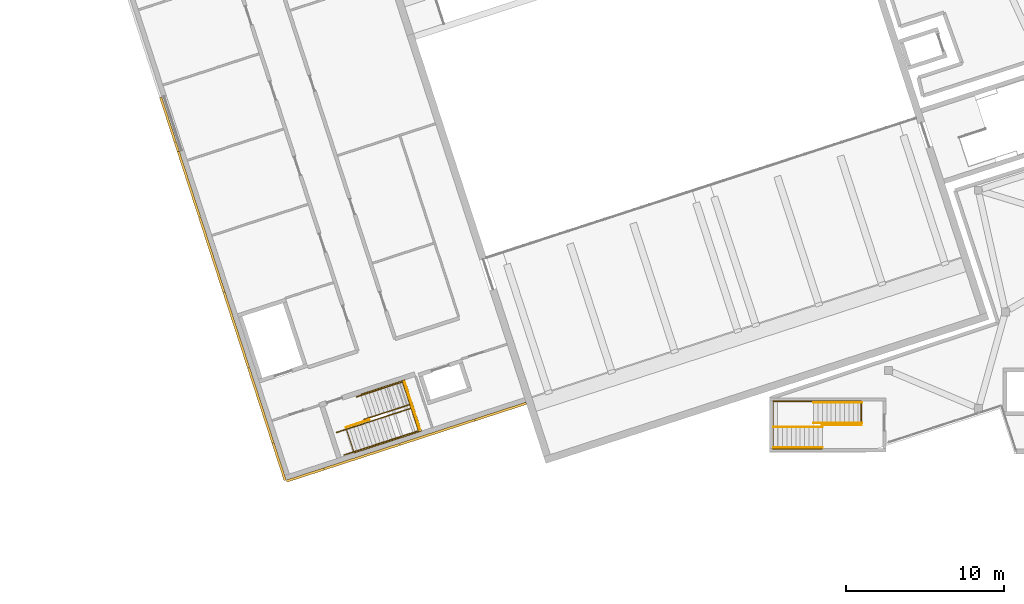
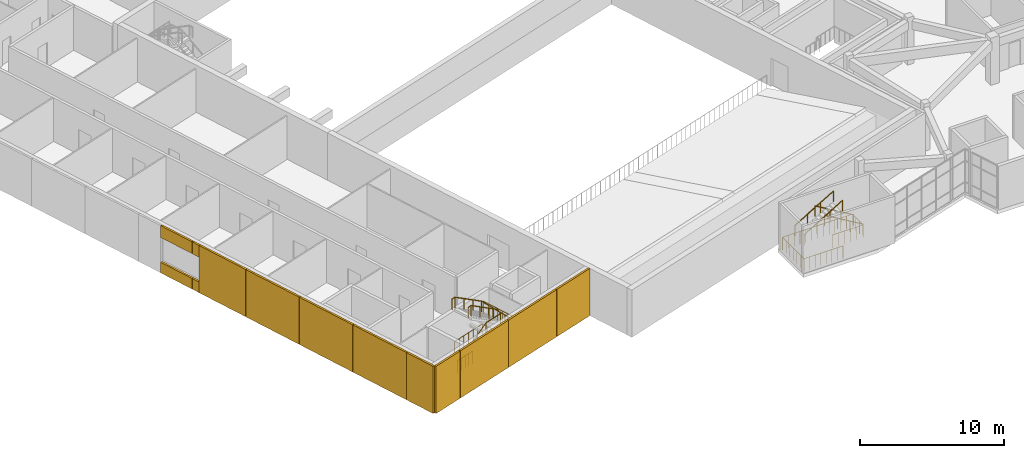
# One storey, part 60 of 65: 13 coverings, 11 railings.
"""IFC4 building model written with IfcOpenShell, lengths in metres."""

from ifc_helpers import new_model, si_unit, direction, frame, origin, origin_2d, place, context, subcontext, project, spatial, polyline, circle, outline, extrude, material, layer, layer_set, type_object, element, save


model = new_model("IFC4")

# Units and contexts
model_context = context("Model", 3, precision=1e-05, world=origin(), true_north=direction((0.0, 1.0)))
body_context = subcontext(model_context, "Body", "Model", "MODEL_VIEW")
ifc_project = project(units=[si_unit("LENGTHUNIT", "METRE"), si_unit("AREAUNIT", "SQUARE_METRE"), si_unit("VOLUMEUNIT", "CUBIC_METRE"), si_unit("PLANEANGLEUNIT", "RADIAN"), si_unit("MASSUNIT", "GRAM", prefix="KILO")], contexts=[model_context])

# Site, building, storey
site_placement = place(None, origin())
site = spatial("IfcSite", under=ifc_project, at=site_placement, CompositionType="ELEMENT")
building_placement = place(site_placement, origin())
building = spatial("IfcBuilding", under=site, at=building_placement, Name="Tuart Plaza Theatre", CompositionType="ELEMENT")
storey_placement = place(building_placement, frame((0.0, 0.0, 9.5)))
storey = spatial("IfcBuildingStorey", under=building, at=storey_placement, Name="L02", CompositionType="ELEMENT", Elevation=9.5)

# Coverings
ifc_material_1 = material(Name="Zinc")
ifc_layer = layer(ifc_material_1, 0.14990234375)
ifc_layer_set = layer_set([ifc_layer], Name="COVERING-ZINC-RAINSCREEN150")
covering_type = type_object("IfcCoveringType", Name="COVERING-ZINC-RAINSCREEN150", PredefinedType="CLADDING", material=ifc_layer_set)
covering_1_placement = place(storey_placement, origin())
element("IfcCovering", 1, at=covering_1_placement, inside=storey, type_object=covering_type, Name="CL146", PredefinedType="CLADDING", context=body_context, shape_type="SweptSolid", body=[
    extrude(outline(polyline([(33.45068359375, 40.6708984375), (35.81884765625, 41.4404296875), (35.865234375, 41.297607421875), (33.4970703125, 40.5283203125), (33.45068359375, 40.6708984375)])), origin(), (0.0, 0.0, 1.0), 4.0),
])
covering_2_placement = place(storey_placement, origin())
element("IfcCovering", 2, at=covering_2_placement, inside=storey, type_object=covering_type, Name="CL147", PredefinedType="CLADDING", context=body_context, shape_type="SweptSolid", body=[
    extrude(outline(polyline([(35.837890625, 41.446533203125), (40.57421875, 42.985595703125), (40.62060546875, 42.8427734375), (35.88427734375, 41.303955078125), (35.837890625, 41.446533203125)])), origin(), (0.0, 0.0, 1.0), 4.0),
])
covering_3_placement = place(storey_placement, origin())
element("IfcCovering", 3, at=covering_3_placement, inside=storey, type_object=covering_type, Name="CL148", PredefinedType="CLADDING", context=body_context, shape_type="SweptSolid", body=[
    extrude(outline(polyline([(40.59326171875, 42.99169921875), (45.329345703125, 44.530517578125), (45.375732421875, 44.387939453125), (40.639404296875, 42.84912109375), (40.59326171875, 42.99169921875)])), origin(), (0.0, 0.0, 1.0), 4.0),
])
covering_4_placement = place(storey_placement, origin())
element("IfcCovering", 4, at=covering_4_placement, inside=storey, type_object=covering_type, Name="CL149", PredefinedType="CLADDING", context=body_context, shape_type="SweptSolid", body=[
    extrude(outline(polyline([(45.348388671875, 44.53662109375), (48.59619140625, 45.592041015625), (48.642578125, 45.449462890625), (45.394775390625, 44.39404296875), (45.348388671875, 44.53662109375)])), origin(), (0.0, 0.0, 1.0), 4.0),
])
covering_5_placement = place(storey_placement, origin())
element("IfcCovering", 5, at=covering_5_placement, inside=storey, type_object=covering_type, Name="CL150", PredefinedType="CLADDING", context=body_context, shape_type="SweptSolid", body=[
    extrude(outline(polyline([(33.30810546875, 40.62451171875), (32.53857421875, 42.99267578125), (32.681396484375, 43.0390625), (33.45068359375, 40.6708984375), (33.30810546875, 40.62451171875)])), origin(), (0.0, 0.0, 1.0), 4.0),
])
covering_6_placement = place(storey_placement, origin())
element("IfcCovering", 6, at=covering_6_placement, inside=storey, type_object=covering_type, Name="CL151", PredefinedType="CLADDING", context=body_context, shape_type="SweptSolid", body=[
    extrude(outline(polyline([(32.532470703125, 43.01171875), (30.993408203125, 47.748046875), (31.13623046875, 47.79443359375), (32.675048828125, 43.05810546875), (32.532470703125, 43.01171875)])), origin(), (0.0, 0.0, 1.0), 4.0),
])
covering_7_placement = place(storey_placement, origin())
element("IfcCovering", 7, at=covering_7_placement, inside=storey, type_object=covering_type, Name="CL152", PredefinedType="CLADDING", context=body_context, shape_type="SweptSolid", body=[
    extrude(outline(polyline([(30.9873046875, 47.76708984375), (29.448486328125, 52.50341796875), (29.591064453125, 52.549560546875), (31.1298828125, 47.8134765625), (30.9873046875, 47.76708984375)])), origin(), (0.0, 0.0, 1.0), 4.0),
])
covering_8_placement = place(storey_placement, origin())
element("IfcCovering", 8, at=covering_8_placement, inside=storey, type_object=covering_type, Name="CL153", PredefinedType="CLADDING", context=body_context, shape_type="SweptSolid", body=[
    extrude(outline(polyline([(29.4423828125, 52.522216796875), (27.9033203125, 57.258544921875), (28.0458984375, 57.304931640625), (29.5849609375, 52.568603515625), (29.4423828125, 52.522216796875)])), origin(), (0.0, 0.0, 1.0), 4.0),
])
covering_9_placement = place(storey_placement, origin())
element("IfcCovering", 9, at=covering_9_placement, inside=storey, type_object=covering_type, Name="CL154", PredefinedType="CLADDING", context=body_context, shape_type="SweptSolid", body=[
    extrude(outline(polyline([(27.897216796875, 57.277587890625), (26.555908203125, 61.4052734375), (26.69873046875, 61.451416015625), (28.039794921875, 57.323974609375), (27.897216796875, 57.277587890625)])), origin(), (0.0, 0.0, 1.0), 4.0),
])
covering_10_placement = place(storey_placement, origin())
element("IfcCovering", 10, at=covering_10_placement, inside=storey, type_object=covering_type, Name="CL155", PredefinedType="CLADDING", context=body_context, shape_type="SweptSolid", body=[
    extrude(outline(polyline([(26.555908203125, 61.4052734375), (26.3583984375, 62.013916015625), (26.5009765625, 62.060302734375), (26.69873046875, 61.451416015625), (26.555908203125, 61.4052734375)])), origin(), (0.0, 0.0, 1.0), 0.89990234375),
])
covering_11_placement = place(storey_placement, frame((0.0, 0.0, 3.0)))
element("IfcCovering", 11, at=covering_11_placement, inside=storey, type_object=covering_type, Name="CL156", PredefinedType="CLADDING", context=body_context, shape_type="SweptSolid", body=[
    extrude(outline(polyline([(26.555908203125, 61.4052734375), (26.3583984375, 62.013916015625), (26.5009765625, 62.060302734375), (26.69873046875, 61.451416015625), (26.555908203125, 61.4052734375)])), origin(), (0.0, 0.0, 1.0), 1.0),
])
covering_12_placement = place(storey_placement, origin())
element("IfcCovering", 12, at=covering_12_placement, inside=storey, type_object=covering_type, Name="CL157", PredefinedType="CLADDING", context=body_context, shape_type="SweptSolid", body=[
    extrude(outline(polyline([(26.35205078125, 62.032958984375), (25.443603515625, 64.8291015625), (25.586181640625, 64.875244140625), (26.49462890625, 62.0791015625), (26.35205078125, 62.032958984375)])), origin(), (0.0, 0.0, 1.0), 0.89990234375),
])
covering_13_placement = place(storey_placement, frame((0.0, 0.0, 3.0)))
element("IfcCovering", 13, at=covering_13_placement, inside=storey, type_object=covering_type, Name="CL158", PredefinedType="CLADDING", context=body_context, shape_type="SweptSolid", body=[
    extrude(outline(polyline([(26.35205078125, 62.032958984375), (25.443603515625, 64.8291015625), (25.586181640625, 64.875244140625), (26.49462890625, 62.0791015625), (26.35205078125, 62.032958984375)])), origin(), (0.0, 0.0, 1.0), 1.0),
])

# Railings
ifc_material_2 = material(Name="Steel Grade C350L0", Category="steel")
railing_type_1 = type_object("IfcRailingType", Name="RAILING Guard 1100", PredefinedType="GUARDRAIL", material=ifc_material_2)
railing_1_placement = place(storey_placement, frame((37.217041015625, 43.99755859375, 0.0)))
element("IfcRailing", 14, at=railing_1_placement, inside=storey, type_object=railing_type_1, Name="GR10", PredefinedType="GUARDRAIL", context=body_context, shape_type="SweptSolid", body=[
    extrude(circle(Radius=0.02490234375, at=origin_2d()), frame((0.0, 0.0, 1.0751953125), z_axis=(0.951027146511, 0.309107370664, 0.0), x_axis=(-0.309107370664, 0.951027146511, 0.0)), (0.0, 0.0, 1.0), 1.55517578125),
    extrude(circle(Radius=0.02001953125, at=origin_2d()), origin(), (0.0, 0.0, 1.0), 1.050048828125),
    extrude(circle(Radius=0.02001953125, at=origin_2d()), frame((0.36962890625, 0.1201171875, 0.0)), (0.0, 0.0, 1.0), 1.050048828125),
    extrude(circle(Radius=0.02001953125, at=origin_2d()), frame((0.739501953125, 0.240234375, 0.0)), (0.0, 0.0, 1.0), 1.050048828125),
    extrude(circle(Radius=0.02001953125, at=origin_2d()), frame((1.109375, 0.360595703125, 0.0)), (0.0, 0.0, 1.0), 1.050048828125),
    extrude(circle(Radius=0.02001953125, at=origin_2d()), frame((1.47900390625, 0.480712890625, 0.0)), (0.0, 0.0, 1.0), 1.050048828125),
])
railing_2_placement = place(storey_placement, frame((38.181640625, 46.077392578125, 0.0)))
element("IfcRailing", 15, at=railing_2_placement, inside=storey, type_object=railing_type_1, Name="GR11", PredefinedType="GUARDRAIL", context=body_context, shape_type="SweptSolid", body=[
    extrude(circle(Radius=0.02490234375, at=origin_2d()), frame((0.0, 0.0, 1.0751953125), z_axis=(-0.316227766017, 0.948683298051, 0.0), x_axis=(-0.948683298051, -0.316227766017, 0.0)), (0.0, 0.0, 1.0), 0.02001953125),
    extrude(circle(Radius=0.02490234375, at=origin_2d()), frame((-0.00634765625, 0.01904296875, 1.0751953125), z_axis=(0.951047059821, 0.309046096893, 0.0), x_axis=(-0.309046096893, 0.951047059821, 0.0)), (0.0, 0.0, 1.0), 2.89990234375),
    extrude(circle(Radius=0.02490234375, at=origin_2d()), frame((2.751708984375, 0.915283203125, 1.0751953125), z_axis=(0.309045481752, -0.951047259714, 0.0), x_axis=(0.951047259714, 0.309045481752, 0.0)), (0.0, 0.0, 1.0), 3.400146484375),
    extrude(circle(Radius=0.02490234375, at=origin_2d()), frame((3.802490234375, -2.318359375, 1.0751953125), z_axis=(-0.951059006692, -0.309009329618, 0.0), x_axis=(0.309009329618, -0.951059006692, 0.0)), (0.0, 0.0, 1.0), 4.4599609375),
    extrude(circle(Radius=0.02490234375, at=origin_2d()), frame((-0.439208984375, -3.696533203125, 1.0751953125), z_axis=(-0.309066587596, 0.951040401051, 0.0), x_axis=(-0.951040401051, -0.309066587596, 0.0)), (0.0, 0.0, 1.0), 1.699951171875),
    extrude(circle(Radius=0.02001953125, at=origin_2d()), origin(), (0.0, 0.0, 1.0), 1.050048828125),
    extrude(circle(Radius=0.02001953125, at=origin_2d()), frame((-0.00634765625, 0.01904296875, 0.0)), (0.0, 0.0, 1.0), 1.050048828125),
    extrude(circle(Radius=0.02001953125, at=origin_2d()), frame((0.453369140625, 0.16845703125, 0.0)), (0.0, 0.0, 1.0), 1.050048828125),
    extrude(circle(Radius=0.02001953125, at=origin_2d()), frame((0.9130859375, 0.31787109375, 0.0)), (0.0, 0.0, 1.0), 1.050048828125),
    extrude(circle(Radius=0.02001953125, at=origin_2d()), frame((1.37255859375, 0.46728515625, 0.0)), (0.0, 0.0, 1.0), 1.050048828125),
    extrude(circle(Radius=0.02001953125, at=origin_2d()), frame((1.832275390625, 0.616455078125, 0.0)), (0.0, 0.0, 1.0), 1.050048828125),
    extrude(circle(Radius=0.02001953125, at=origin_2d()), frame((2.2919921875, 0.765869140625, 0.0)), (0.0, 0.0, 1.0), 1.050048828125),
    extrude(circle(Radius=0.02001953125, at=origin_2d()), frame((2.751708984375, 0.915283203125, 0.0)), (0.0, 0.0, 1.0), 1.050048828125),
    extrude(circle(Radius=0.02001953125, at=origin_2d()), frame((2.90185546875, 0.453369140625, 0.0)), (0.0, 0.0, 1.0), 1.050048828125),
    extrude(circle(Radius=0.02001953125, at=origin_2d()), frame((3.052001953125, -0.008544921875, 0.0)), (0.0, 0.0, 1.0), 1.050048828125),
    extrude(circle(Radius=0.02001953125, at=origin_2d()), frame((3.2021484375, -0.470458984375, 0.0)), (0.0, 0.0, 1.0), 1.050048828125),
    extrude(circle(Radius=0.02001953125, at=origin_2d()), frame((3.35205078125, -0.9326171875, 0.0)), (0.0, 0.0, 1.0), 1.050048828125),
    extrude(circle(Radius=0.02001953125, at=origin_2d()), frame((3.502197265625, -1.39453125, 0.0)), (0.0, 0.0, 1.0), 1.050048828125),
    extrude(circle(Radius=0.02001953125, at=origin_2d()), frame((3.65234375, -1.8564453125, 0.0)), (0.0, 0.0, 1.0), 1.050048828125),
    extrude(circle(Radius=0.02001953125, at=origin_2d()), frame((3.802490234375, -2.318359375, 0.0)), (0.0, 0.0, 1.0), 1.050048828125),
    extrude(circle(Radius=0.02001953125, at=origin_2d()), frame((3.331298828125, -2.471435546875, 0.0)), (0.0, 0.0, 1.0), 1.050048828125),
    extrude(circle(Radius=0.02001953125, at=origin_2d()), frame((2.85986328125, -2.62451171875, 0.0)), (0.0, 0.0, 1.0), 1.050048828125),
    extrude(circle(Radius=0.02001953125, at=origin_2d()), frame((2.388671875, -2.77783203125, 0.0)), (0.0, 0.0, 1.0), 1.050048828125),
    extrude(circle(Radius=0.02001953125, at=origin_2d()), frame((1.917236328125, -2.930908203125, 0.0)), (0.0, 0.0, 1.0), 1.050048828125),
    extrude(circle(Radius=0.02001953125, at=origin_2d()), frame((1.446044921875, -3.083984375, 0.0)), (0.0, 0.0, 1.0), 1.050048828125),
    extrude(circle(Radius=0.02001953125, at=origin_2d()), frame((0.974609375, -3.237060546875, 0.0)), (0.0, 0.0, 1.0), 1.050048828125),
    extrude(circle(Radius=0.02001953125, at=origin_2d()), frame((0.50341796875, -3.390380859375, 0.0)), (0.0, 0.0, 1.0), 1.050048828125),
    extrude(circle(Radius=0.02001953125, at=origin_2d()), frame((0.031982421875, -3.54345703125, 0.0)), (0.0, 0.0, 1.0), 1.050048828125),
    extrude(circle(Radius=0.02001953125, at=origin_2d()), frame((-0.439208984375, -3.696533203125, 0.0)), (0.0, 0.0, 1.0), 1.050048828125),
    extrude(circle(Radius=0.02001953125, at=origin_2d()), frame((-0.570556640625, -3.29248046875, 0.0)), (0.0, 0.0, 1.0), 1.050048828125),
    extrude(circle(Radius=0.02001953125, at=origin_2d()), frame((-0.701904296875, -2.88818359375, 0.0)), (0.0, 0.0, 1.0), 1.050048828125),
    extrude(circle(Radius=0.02001953125, at=origin_2d()), frame((-0.833251953125, -2.48388671875, 0.0)), (0.0, 0.0, 1.0), 1.050048828125),
    extrude(circle(Radius=0.02001953125, at=origin_2d()), frame((-0.964599609375, -2.079833984375, 0.0)), (0.0, 0.0, 1.0), 1.050048828125),
])
railing_3_placement = place(storey_placement, frame((41.8994140625, 43.857666015625, 2.0)))
element("IfcRailing", 16, at=railing_3_placement, inside=storey, type_object=railing_type_1, Name="GR15", PredefinedType="GUARDRAIL", context=body_context, shape_type="SweptSolid", body=[
    extrude(circle(Radius=0.02490234375, at=origin_2d()), frame((0.0, 0.0, 1.0751953125), z_axis=(-0.309033663672, 0.951051099951, 0.0), x_axis=(-0.951051099951, -0.309033663672, 0.0)), (0.0, 0.0, 1.0), 3.16015625),
    extrude(circle(Radius=0.02001953125, at=origin_2d()), origin(), (0.0, 0.0, 1.0), 1.050048828125),
    extrude(circle(Radius=0.02001953125, at=origin_2d()), frame((-0.139404296875, 0.429443359375, 0.0)), (0.0, 0.0, 1.0), 1.050048828125),
    extrude(circle(Radius=0.02001953125, at=origin_2d()), frame((-0.279052734375, 0.858642578125, 0.0)), (0.0, 0.0, 1.0), 1.050048828125),
    extrude(circle(Radius=0.02001953125, at=origin_2d()), frame((-0.41845703125, 1.2880859375, 0.0)), (0.0, 0.0, 1.0), 1.050048828125),
    extrude(circle(Radius=0.02001953125, at=origin_2d()), frame((-0.55810546875, 1.71728515625, 0.0)), (0.0, 0.0, 1.0), 1.050048828125),
    extrude(circle(Radius=0.02001953125, at=origin_2d()), frame((-0.697509765625, 2.146728515625, 0.0)), (0.0, 0.0, 1.0), 1.050048828125),
    extrude(circle(Radius=0.02001953125, at=origin_2d()), frame((-0.837158203125, 2.575927734375, 0.0)), (0.0, 0.0, 1.0), 1.050048828125),
    extrude(circle(Radius=0.02001953125, at=origin_2d()), frame((-0.9765625, 3.00537109375, 0.0)), (0.0, 0.0, 1.0), 1.050048828125),
])
railing_4_placement = place(storey_placement, frame((69.7900390625, 44.14990234375, 0.0)))
element("IfcRailing", 17, at=railing_4_placement, inside=storey, type_object=railing_type_1, Name="GR127", PredefinedType="GUARDRAIL", context=body_context, shape_type="SweptSolid", body=[
    extrude(circle(Radius=0.02490234375, at=origin_2d()), frame((0.0, 0.0, 1.0751953125), z_axis=(-1.0, 0.0, 0.0), x_axis=(0.0, -1.0, 0.0)), (0.0, 0.0, 1.0), 2.47509765625),
    extrude(circle(Radius=0.02001953125, at=origin_2d()), origin(), (0.0, 0.0, 1.0), 1.050048828125),
    extrude(circle(Radius=0.02001953125, at=origin_2d()), frame((-0.4951171875, 0.0, 0.0)), (0.0, 0.0, 1.0), 1.050048828125),
    extrude(circle(Radius=0.02001953125, at=origin_2d()), frame((-0.989990234375, 0.0, 0.0)), (0.0, 0.0, 1.0), 1.050048828125),
    extrude(circle(Radius=0.02001953125, at=origin_2d()), frame((-1.485107421875, 0.0, 0.0)), (0.0, 0.0, 1.0), 1.050048828125),
    extrude(circle(Radius=0.02001953125, at=origin_2d()), frame((-1.97998046875, 0.0, 0.0)), (0.0, 0.0, 1.0), 1.050048828125),
    extrude(circle(Radius=0.02001953125, at=origin_2d()), frame((-2.47509765625, 0.0, 0.0)), (0.0, 0.0, 1.0), 1.050048828125),
])
railing_5_placement = place(storey_placement, frame((67.31005859375, 42.669921875, 0.0)))
element("IfcRailing", 18, at=railing_5_placement, inside=storey, type_object=railing_type_1, Name="GR128", PredefinedType="GUARDRAIL", context=body_context, shape_type="SweptSolid", body=[
    extrude(circle(Radius=0.02490234375, at=origin_2d()), frame((0.0, 0.0, 1.0751953125), z_axis=(0.0, -1.0, 0.0), x_axis=(1.0, 0.0, 0.0)), (0.0, 0.0, 1.0), 0.02001953125),
    extrude(circle(Radius=0.02490234375, at=origin_2d()), frame((0.0, -0.02001953125, 1.0751953125), z_axis=(-1.0, 0.0, 0.0), x_axis=(0.0, -1.0, 0.0)), (0.0, 0.0, 1.0), 3.110107421875),
    extrude(circle(Radius=0.02490234375, at=origin_2d()), frame((-3.110107421875, -0.02001953125, 1.0751953125), z_axis=(0.0, 1.0, 0.0), x_axis=(-1.0, 0.0, 0.0)), (0.0, 0.0, 1.0), 3.0),
    extrude(circle(Radius=0.02490234375, at=origin_2d()), frame((-3.110107421875, 2.97998046875, 1.0751953125), z_axis=(1.0, 0.0, 0.0), x_axis=(0.0, 1.0, 0.0)), (0.0, 0.0, 1.0), 5.590087890625),
    extrude(circle(Radius=0.02490234375, at=origin_2d()), frame((2.47998046875, 2.97998046875, 1.0751953125), z_axis=(0.0, -1.0, 0.0), x_axis=(1.0, 0.0, 0.0)), (0.0, 0.0, 1.0), 1.5),
    extrude(circle(Radius=0.02001953125, at=origin_2d()), origin(), (0.0, 0.0, 1.0), 1.050048828125),
    extrude(circle(Radius=0.02001953125, at=origin_2d()), frame((0.0, -0.02001953125, 0.0)), (0.0, 0.0, 1.0), 1.050048828125),
    extrude(circle(Radius=0.02001953125, at=origin_2d()), frame((-0.4443359375, -0.02001953125, 0.0)), (0.0, 0.0, 1.0), 1.050048828125),
    extrude(circle(Radius=0.02001953125, at=origin_2d()), frame((-0.888671875, -0.02001953125, 0.0)), (0.0, 0.0, 1.0), 1.050048828125),
    extrude(circle(Radius=0.02001953125, at=origin_2d()), frame((-1.3330078125, -0.02001953125, 0.0)), (0.0, 0.0, 1.0), 1.050048828125),
    extrude(circle(Radius=0.02001953125, at=origin_2d()), frame((-1.777099609375, -0.02001953125, 0.0)), (0.0, 0.0, 1.0), 1.050048828125),
    extrude(circle(Radius=0.02001953125, at=origin_2d()), frame((-2.221435546875, -0.02001953125, 0.0)), (0.0, 0.0, 1.0), 1.050048828125),
    extrude(circle(Radius=0.02001953125, at=origin_2d()), frame((-2.665771484375, -0.02001953125, 0.0)), (0.0, 0.0, 1.0), 1.050048828125),
    extrude(circle(Radius=0.02001953125, at=origin_2d()), frame((-3.110107421875, -0.02001953125, 0.0)), (0.0, 0.0, 1.0), 1.050048828125),
    extrude(circle(Radius=0.02001953125, at=origin_2d()), frame((-3.110107421875, 0.47998046875, 0.0)), (0.0, 0.0, 1.0), 1.050048828125),
    extrude(circle(Radius=0.02001953125, at=origin_2d()), frame((-3.110107421875, 0.97998046875, 0.0)), (0.0, 0.0, 1.0), 1.050048828125),
    extrude(circle(Radius=0.02001953125, at=origin_2d()), frame((-3.110107421875, 1.47998046875, 0.0)), (0.0, 0.0, 1.0), 1.050048828125),
    extrude(circle(Radius=0.02001953125, at=origin_2d()), frame((-3.110107421875, 1.97998046875, 0.0)), (0.0, 0.0, 1.0), 1.050048828125),
    extrude(circle(Radius=0.02001953125, at=origin_2d()), frame((-3.110107421875, 2.47998046875, 0.0)), (0.0, 0.0, 1.0), 1.050048828125),
    extrude(circle(Radius=0.02001953125, at=origin_2d()), frame((-3.110107421875, 2.97998046875, 0.0)), (0.0, 0.0, 1.0), 1.050048828125),
    extrude(circle(Radius=0.02001953125, at=origin_2d()), frame((-2.644287109375, 2.97998046875, 0.0)), (0.0, 0.0, 1.0), 1.050048828125),
    extrude(circle(Radius=0.02001953125, at=origin_2d()), frame((-2.178466796875, 2.97998046875, 0.0)), (0.0, 0.0, 1.0), 1.050048828125),
    extrude(circle(Radius=0.02001953125, at=origin_2d()), frame((-1.712646484375, 2.97998046875, 0.0)), (0.0, 0.0, 1.0), 1.050048828125),
    extrude(circle(Radius=0.02001953125, at=origin_2d()), frame((-1.246826171875, 2.97998046875, 0.0)), (0.0, 0.0, 1.0), 1.050048828125),
    extrude(circle(Radius=0.02001953125, at=origin_2d()), frame((-0.781005859375, 2.97998046875, 0.0)), (0.0, 0.0, 1.0), 1.050048828125),
    extrude(circle(Radius=0.02001953125, at=origin_2d()), frame((-0.31494140625, 2.97998046875, 0.0)), (0.0, 0.0, 1.0), 1.050048828125),
    extrude(circle(Radius=0.02001953125, at=origin_2d()), frame((0.15087890625, 2.97998046875, 0.0)), (0.0, 0.0, 1.0), 1.050048828125),
    extrude(circle(Radius=0.02001953125, at=origin_2d()), frame((0.61669921875, 2.97998046875, 0.0)), (0.0, 0.0, 1.0), 1.050048828125),
    extrude(circle(Radius=0.02001953125, at=origin_2d()), frame((1.08251953125, 2.97998046875, 0.0)), (0.0, 0.0, 1.0), 1.050048828125),
    extrude(circle(Radius=0.02001953125, at=origin_2d()), frame((1.54833984375, 2.97998046875, 0.0)), (0.0, 0.0, 1.0), 1.050048828125),
    extrude(circle(Radius=0.02001953125, at=origin_2d()), frame((2.01416015625, 2.97998046875, 0.0)), (0.0, 0.0, 1.0), 1.050048828125),
    extrude(circle(Radius=0.02001953125, at=origin_2d()), frame((2.47998046875, 2.97998046875, 0.0)), (0.0, 0.0, 1.0), 1.050048828125),
    extrude(circle(Radius=0.02001953125, at=origin_2d()), frame((2.47998046875, 2.47998046875, 0.0)), (0.0, 0.0, 1.0), 1.050048828125),
    extrude(circle(Radius=0.02001953125, at=origin_2d()), frame((2.47998046875, 1.97998046875, 0.0)), (0.0, 0.0, 1.0), 1.050048828125),
    extrude(circle(Radius=0.02001953125, at=origin_2d()), frame((2.47998046875, 1.47998046875, 0.0)), (0.0, 0.0, 1.0), 1.050048828125),
])
ifc_material_3 = material(Name="Steel Grade C350L0", Category="steel")
railing_type_2 = type_object("IfcRailingType", Name="RAILING Handrail 900", PredefinedType="HANDRAIL", material=ifc_material_3)
railing_6_placement = place(storey_placement, frame((36.6279296875, 43.6748046875, 0.0)))
element("IfcRailing", 19, at=railing_6_placement, inside=storey, type_object=railing_type_2, Name="HR9", PredefinedType="HANDRAIL", context=body_context, shape_type="SweptSolid", body=[
    extrude(circle(Radius=0.0224609375, at=origin_2d()), frame((0.0, 0.0, 0.87744140625), z_axis=(0.91641792704, 0.297502654672, 0.267713192544), x_axis=(-0.308773297186, 0.951135663796, 0.0)), (0.0, 0.0, 1.0), 0.622802734375),
    extrude(circle(Radius=0.0224609375, at=origin_2d()), frame((0.57080078125, 0.185302734375, 1.044189453125), z_axis=(0.80067958274, 0.260161573424, 0.539655595261), x_axis=(-0.309022373402, 0.951054768527, 0.0)), (0.0, 0.0, 1.0), 3.39697265625),
    extrude(circle(Radius=0.0224609375, at=origin_2d()), frame((3.290771484375, 1.069091796875, 2.87744140625), z_axis=(0.951032872603, 0.309089752708, 0.0), x_axis=(-0.309089752708, 0.951032872603, 0.0)), (0.0, 0.0, 1.0), 1.5),
    extrude(circle(Radius=0.0224609375, at=origin_2d()), frame((4.71728515625, 1.53271484375, 2.87744140625), z_axis=(-0.226783790612, 0.699010797647, 0.678198361166), x_axis=(-0.951191832008, -0.308600224758, 0.0)), (0.0, 0.0, 1.0), 0.340087890625),
    extrude(circle(Radius=0.0224609375, at=origin_2d()), frame((4.64013671875, 1.7705078125, 3.108154296875), z_axis=(-0.800667490059, -0.260187147532, 0.53966120726), x_axis=(0.309054071151, -0.951044468521, 0.0)), (0.0, 0.0, 1.0), 3.278564453125),
    extrude(circle(Radius=0.0224609375, at=origin_2d()), frame((2.01513671875, 0.91748046875, 4.87744140625), z_axis=(-0.951255083436, -0.308405198137, 0.0), x_axis=(0.308405198137, -0.951255083436, 0.0)), (0.0, 0.0, 1.0), 0.300048828125),
    extrude(circle(Radius=0.01513671875, at=origin_2d()), origin(), (0.0, 0.0, 1.0), 0.85498046875),
    extrude(circle(Radius=0.01513671875, at=origin_2d()), frame((0.57080078125, 0.185302734375, 0.166748046875)), (0.0, 0.0, 1.0), 0.85498046875),
    extrude(circle(Radius=0.01513671875, at=origin_2d()), frame((1.4775390625, 0.47998046875, 0.77783203125)), (0.0, 0.0, 1.0), 0.85498046875),
    extrude(circle(Radius=0.01513671875, at=origin_2d()), frame((2.384033203125, 0.7744140625, 1.388916015625)), (0.0, 0.0, 1.0), 0.85498046875),
    extrude(circle(Radius=0.01513671875, at=origin_2d()), frame((3.290771484375, 1.069091796875, 2.0)), (0.0, 0.0, 1.0), 0.85498046875),
    extrude(circle(Radius=0.01513671875, at=origin_2d()), frame((4.71728515625, 1.53271484375, 2.0)), (0.0, 0.0, 1.0), 0.85498046875),
    extrude(circle(Radius=0.01513671875, at=origin_2d()), frame((4.64013671875, 1.7705078125, 2.230712890625)), (0.0, 0.0, 1.0), 0.85498046875),
    extrude(circle(Radius=0.01513671875, at=origin_2d()), frame((3.76513671875, 1.486083984375, 2.820556640625)), (0.0, 0.0, 1.0), 0.85498046875),
    extrude(circle(Radius=0.01513671875, at=origin_2d()), frame((2.89013671875, 1.201904296875, 3.41015625)), (0.0, 0.0, 1.0), 0.85498046875),
    extrude(circle(Radius=0.01513671875, at=origin_2d()), frame((2.01513671875, 0.91748046875, 4.0)), (0.0, 0.0, 1.0), 0.85498046875),
    extrude(circle(Radius=0.01513671875, at=origin_2d()), frame((1.729736328125, 0.824951171875, 4.0)), (0.0, 0.0, 1.0), 0.85498046875),
])
railing_7_placement = place(storey_placement, frame((37.091552734375, 42.248291015625, 0.0)))
element("IfcRailing", 20, at=railing_7_placement, inside=storey, type_object=railing_type_2, Name="HR10", PredefinedType="HANDRAIL", context=body_context, shape_type="SweptSolid", body=[
    extrude(circle(Radius=0.0224609375, at=origin_2d()), frame((0.0, 0.0, 0.87744140625), z_axis=(0.916355108697, 0.297609553916, 0.267809387779), x_axis=(-0.308892816854, 0.951096855055, 0.0)), (0.0, 0.0, 1.0), 0.62255859375),
    extrude(circle(Radius=0.0224609375, at=origin_2d()), frame((0.570556640625, 0.185302734375, 1.044189453125), z_axis=(0.80067958274, 0.260161573424, 0.539655595261), x_axis=(-0.309022373402, 0.951054768527, 0.0)), (0.0, 0.0, 1.0), 3.39697265625),
    extrude(circle(Radius=0.0224609375, at=origin_2d()), frame((3.29052734375, 1.069091796875, 2.87744140625), z_axis=(0.951048418938, 0.309041914367, 0.0), x_axis=(-0.309041914367, 0.951048418938, 0.0)), (0.0, 0.0, 1.0), 1.500244140625),
    extrude(circle(Radius=0.0224609375, at=origin_2d()), frame((4.71728515625, 1.53271484375, 2.87744140625), z_axis=(-0.308276276911, 0.94865767275, 0.070812124862), x_axis=(-0.951045109239, -0.309052099479, 0.0)), (0.0, 0.0, 1.0), 3.258056640625),
    extrude(circle(Radius=0.0224609375, at=origin_2d()), frame((3.712890625, 4.62353515625, 3.108154296875), z_axis=(-0.800683001475, -0.26011771988, 0.539671662174), x_axis=(0.308974063591, -0.951070464281, 0.0)), (0.0, 0.0, 1.0), 3.278564453125),
    extrude(circle(Radius=0.0224609375, at=origin_2d()), frame((1.087890625, 3.770751953125, 4.87744140625), z_axis=(-0.950938293792, -0.309380609282, 0.0), x_axis=(0.309380609282, -0.950938293792, 0.0)), (0.0, 0.0, 1.0), 0.2998046875),
    extrude(circle(Radius=0.01513671875, at=origin_2d()), origin(), (0.0, 0.0, 1.0), 0.85498046875),
    extrude(circle(Radius=0.01513671875, at=origin_2d()), frame((0.570556640625, 0.185302734375, 0.166748046875)), (0.0, 0.0, 1.0), 0.85498046875),
    extrude(circle(Radius=0.01513671875, at=origin_2d()), frame((1.477294921875, 0.47998046875, 0.77783203125)), (0.0, 0.0, 1.0), 0.85498046875),
    extrude(circle(Radius=0.01513671875, at=origin_2d()), frame((2.3837890625, 0.7744140625, 1.388916015625)), (0.0, 0.0, 1.0), 0.85498046875),
    extrude(circle(Radius=0.01513671875, at=origin_2d()), frame((3.29052734375, 1.069091796875, 2.0)), (0.0, 0.0, 1.0), 0.85498046875),
    extrude(circle(Radius=0.01513671875, at=origin_2d()), frame((4.00390625, 1.30078125, 2.0)), (0.0, 0.0, 1.0), 0.85498046875),
    extrude(circle(Radius=0.01513671875, at=origin_2d()), frame((4.71728515625, 1.53271484375, 2.0)), (0.0, 0.0, 1.0), 0.85498046875),
    extrude(circle(Radius=0.01513671875, at=origin_2d()), frame((4.382568359375, 2.56298828125, 2.076904296875)), (0.0, 0.0, 1.0), 0.85498046875),
    extrude(circle(Radius=0.01513671875, at=origin_2d()), frame((4.047607421875, 3.59326171875, 2.15380859375)), (0.0, 0.0, 1.0), 0.85498046875),
    extrude(circle(Radius=0.01513671875, at=origin_2d()), frame((3.712890625, 4.62353515625, 2.230712890625)), (0.0, 0.0, 1.0), 0.85498046875),
    extrude(circle(Radius=0.01513671875, at=origin_2d()), frame((2.837890625, 4.33935546875, 2.820556640625)), (0.0, 0.0, 1.0), 0.85498046875),
    extrude(circle(Radius=0.01513671875, at=origin_2d()), frame((1.962890625, 4.054931640625, 3.41015625)), (0.0, 0.0, 1.0), 0.85498046875),
    extrude(circle(Radius=0.01513671875, at=origin_2d()), frame((1.087890625, 3.770751953125, 4.0)), (0.0, 0.0, 1.0), 0.85498046875),
    extrude(circle(Radius=0.01513671875, at=origin_2d()), frame((0.802734375, 3.677978515625, 4.0)), (0.0, 0.0, 1.0), 0.85498046875),
])
for number, where, name in (
    (21, (69.85009765625, 44.27490234375, 0.166748046875), "HR63"),
    (22, (69.85009765625, 45.574951171875, 0.166748046875), "HR64"),
):
    element("IfcRailing", number, at=place(storey_placement, frame(where)), inside=storey, type_object=railing_type_2, Name=name, PredefinedType="HANDRAIL", context=body_context, shape_type="SweptSolid", body=[
        extrude(circle(Radius=0.0224609375, at=origin_2d()), frame((0.0, 0.0, 0.87744140625), z_axis=(-0.859308565015, 0.0, 0.511457515432), x_axis=(0.0, -1.0, 0.0)), (0.0, 0.0, 1.0), 3.58447265625),
        extrude(circle(Radius=0.01513671875, at=origin_2d()), origin(), (0.0, 0.0, 1.0), 0.85498046875),
        extrude(circle(Radius=0.01513671875, at=origin_2d()), frame((-1.026611328125, 0.0, 0.611083984375)), (0.0, 0.0, 1.0), 0.85498046875),
        extrude(circle(Radius=0.01513671875, at=origin_2d()), frame((-2.053466796875, 0.0, 1.22216796875)), (0.0, 0.0, 1.0), 0.85498046875),
        extrude(circle(Radius=0.01513671875, at=origin_2d()), frame((-3.080078125, 0.0, 1.833251953125)), (0.0, 0.0, 1.0), 0.85498046875),
    ])
for number, where, name in (
    (23, (64.25, 44.02490234375, 2.166748046875), "HR65"),
    (24, (64.25, 42.72509765625, 2.166748046875), "HR66"),
):
    element("IfcRailing", number, at=place(storey_placement, frame(where)), inside=storey, type_object=railing_type_2, Name=name, PredefinedType="HANDRAIL", context=body_context, shape_type="SweptSolid", body=[
        extrude(circle(Radius=0.0224609375, at=origin_2d()), frame((0.0, 0.0, 0.87744140625), z_axis=(0.859308565015, 0.0, 0.511457515432), x_axis=(0.0, 1.0, 0.0)), (0.0, 0.0, 1.0), 3.58447265625),
        extrude(circle(Radius=0.01513671875, at=origin_2d()), origin(), (0.0, 0.0, 1.0), 0.85498046875),
        extrude(circle(Radius=0.01513671875, at=origin_2d()), frame((1.026611328125, 0.0, 0.611083984375)), (0.0, 0.0, 1.0), 0.85498046875),
        extrude(circle(Radius=0.01513671875, at=origin_2d()), frame((2.053466796875, 0.0, 1.22216796875)), (0.0, 0.0, 1.0), 0.85498046875),
        extrude(circle(Radius=0.01513671875, at=origin_2d()), frame((3.080078125, 0.0, 1.833251953125)), (0.0, 0.0, 1.0), 0.85498046875),
    ])

save(model, "model.ifc")
